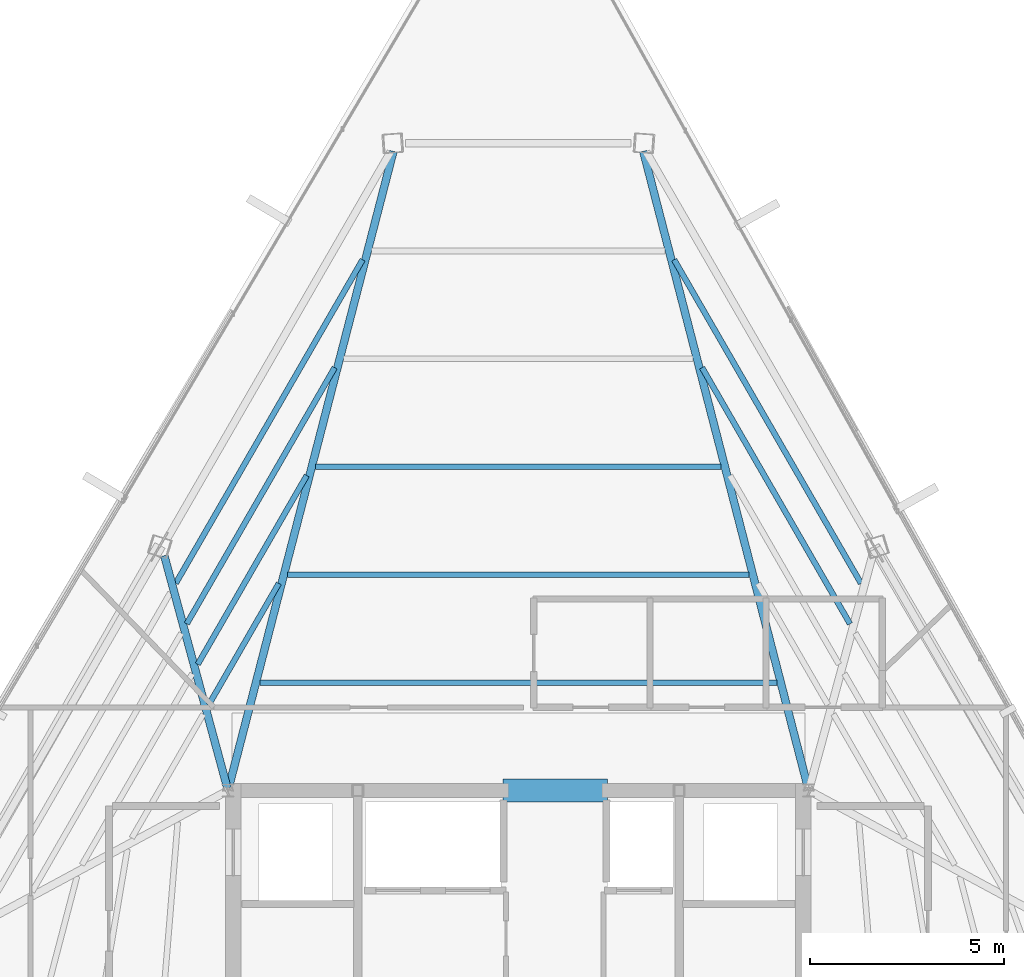
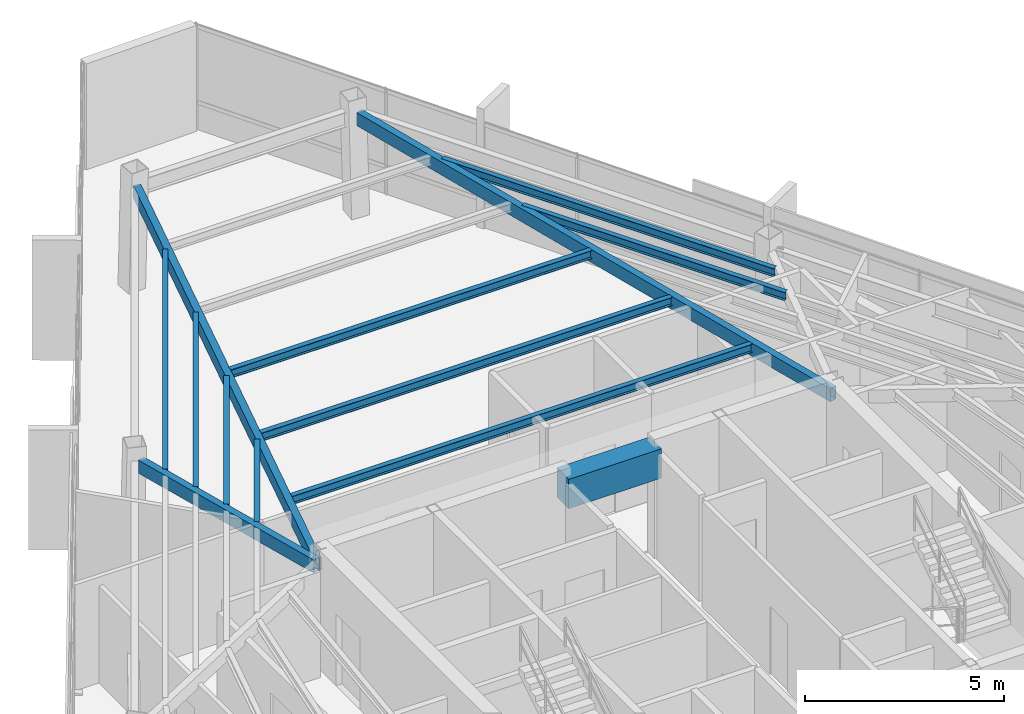
# One storey, part 20 of 44: 13 beams.
"""IFC4 building model written with IfcOpenShell, lengths in metres."""

from ifc_helpers import new_model, si_unit, direction, frame, origin, origin_2d, place, context, subcontext, project, spatial, rectangle, hollow_rectangle, i_section, extrude, source, transform, mapped, material, material_profile, profile_set, type_object, type_shapes, element, save


model = new_model("IFC4")

# Units and contexts
model_context = context("Model", 3, precision=1e-05, world=origin(), true_north=direction((0.0, 1.0)))
body_context = subcontext(model_context, "Body", "Model", "MODEL_VIEW")
ifc_project = project(units=[si_unit("LENGTHUNIT", "METRE"), si_unit("AREAUNIT", "SQUARE_METRE"), si_unit("VOLUMEUNIT", "CUBIC_METRE"), si_unit("PLANEANGLEUNIT", "RADIAN"), si_unit("MASSUNIT", "GRAM", prefix="KILO")], contexts=[model_context])

# Site, building, storey
site_placement = place(None, origin())
site = spatial("IfcSite", under=ifc_project, at=site_placement, CompositionType="ELEMENT")
building_placement = place(site_placement, origin())
building = spatial("IfcBuilding", under=site, at=building_placement, Name="Caelisora Broadcast Tower", CompositionType="ELEMENT")
storey_placement = place(building_placement, frame((0.0, 0.0, 280.949951171875)))
storey = spatial("IfcBuildingStorey", under=building, at=storey_placement, Name="L74", CompositionType="ELEMENT", Elevation=280.949951171875)

# Beams
ifc_material_1 = material(Name="Concrete 50 MPa (AS 3600 S50)", Category="concrete")
ifc_material_profile_1 = material_profile(ifc_material_1, rectangle(XDim=0.60009765625, YDim=0.89990234375, at=origin_2d()), Name="Concrete 50 MPa (AS 3600 S50)")
ifc_profile_set_1 = profile_set([ifc_material_profile_1], Name="Concrete 50 MPa (AS 3600 S50)")
beam_type_1 = type_object("IfcBeamType", Name="CB02", PredefinedType="LINTEL", material=ifc_profile_set_1)
shared_shape_1 = source(origin(), body_context, "Body", "SweptSolid", [
    extrude(rectangle(XDim=0.60009765625, YDim=0.89990234375, at=origin_2d()), origin(), (0.0, 0.0, 1.0), 2.699951171875),
])
type_shapes(beam_type_1, [shared_shape_1])
beam_1_placement = place(storey_placement, frame((37.60009765625, 30.0, 2.949951171875), z_axis=(1.0, 0.0, 0.0), x_axis=(0.0, 1.0, 0.0)))
element("IfcBeam", 1, at=beam_1_placement, inside=storey, type_object=beam_type_1, Name="L74 beam CB02", PredefinedType="LINTEL", context=body_context, shape_type="MappedRepresentation", body=[
    mapped(shared_shape_1, transform((0.0, 0.0, 0.0), scale=1.0)),
])
ifc_material_2 = material(Name="Steel Grade 350 (AS/NZS 1163 C350L0)", Category="steel")
ifc_material_profile_2 = material_profile(ifc_material_2, hollow_rectangle(XDim=0.199951171875, YDim=0.39990234375, WallThickness=0.012451171875, at=origin_2d()), Name="Steel Grade 350 (AS/NZS 1163 C350L0)")
ifc_profile_set_2 = profile_set([ifc_material_profile_2], Name="Steel Grade 350 (AS/NZS 1163 C350L0)")
beam_type_2 = type_object("IfcBeamType", Name="PG07", PredefinedType="BEAM", material=ifc_profile_set_2)
shared_shape_2 = source(origin(), body_context, "Body", "SweptSolid", [
    extrude(hollow_rectangle(XDim=0.199951171875, YDim=0.39990234375, WallThickness=0.012451171875, at=origin_2d()), origin(), (0.0, 0.0, 1.0), 16.9951171875),
])
for number, where, z_axis, x_axis, name in (
    (2, (45.485107421875, 30.05810546875, 3.050048828125), (-0.250517931791, 0.968111959358, 0.0), (-0.968111959358, -0.250517931791, 0.0), "L74 beam PG07"),
    (3, (30.514892578125, 30.05810546875, 3.050048828125), (0.250517931791, 0.968111959358, 0.0), (-0.968111959358, 0.250517931791, 0.0), "L74 beam PG07"),
):
    element("IfcBeam", number, at=place(storey_placement, frame(where, z_axis=z_axis, x_axis=x_axis)), inside=storey, type_object=beam_type_2, Name=name, PredefinedType="BEAM", context=body_context, shape_type="MappedRepresentation", body=[
        mapped(shared_shape_2, transform((0.0, 0.0, 0.0), scale=1.0)),
    ])
shared_shape_3 = source(origin(), body_context, "Body", "SweptSolid", [
    extrude(hollow_rectangle(XDim=0.199951171875, YDim=0.39990234375, WallThickness=0.012451171875, at=origin_2d()), origin(), (0.0, 0.0, 1.0), 6.22509765625),
])
type_shapes(beam_type_2, [shared_shape_2, shared_shape_3])
beam_2_placement = place(storey_placement, frame((30.484375, 30.057861328125, 3.050048828125), z_axis=(-0.261902623639, 0.965094304061, 0.0), x_axis=(-0.965094304061, -0.261902623639, 0.0)))
element("IfcBeam", 4, at=beam_2_placement, inside=storey, type_object=beam_type_2, Name="L74 beam PG07", PredefinedType="BEAM", context=body_context, shape_type="MappedRepresentation", body=[
    mapped(shared_shape_3, transform((0.0, 0.0, 0.0), scale=1.0)),
])
ifc_material_3 = material(Name="Steel Grade 350 (AS/NZS 3679.1)", Category="steel")
ifc_material_profile_3 = material_profile(ifc_material_3, i_section(OverallWidth=0.14599609375, OverallDepth=0.256103515625, WebThickness=0.00634765625, FlangeThickness=0.010986328125, at=origin_2d()), Name="Steel Grade 350 (AS/NZS 3679.1)")
ifc_profile_set_3 = profile_set([ifc_material_profile_3], Name="Steel Grade 350 (AS/NZS 3679.1)")
beam_type_3 = type_object("IfcBeamType", Name="SB04", PredefinedType="JOIST", material=ifc_profile_set_3)
shared_shape_4 = source(origin(), body_context, "Body", "SweptSolid", [
    extrude(i_section(OverallWidth=0.14599609375, OverallDepth=0.256103515625, WebThickness=0.00634765625, FlangeThickness=0.010986328125, at=origin_2d()), origin(), (0.0, 0.0, 1.0), 13.35693359375),
])
beam_3_placement = place(storey_placement, frame((44.678466796875, 32.787353515625, 3.1220703125), z_axis=(-1.0, 0.0, 0.0), x_axis=(0.0, -1.0, 0.0)))
element("IfcBeam", 5, at=beam_3_placement, inside=storey, type_object=beam_type_3, Name="L74 beam SB04", PredefinedType="JOIST", context=body_context, shape_type="MappedRepresentation", body=[
    mapped(shared_shape_4, transform((0.0, 0.0, 0.0), scale=1.0)),
])
shared_shape_5 = source(origin(), body_context, "Body", "SweptSolid", [
    extrude(i_section(OverallWidth=0.14599609375, OverallDepth=0.256103515625, WebThickness=0.00634765625, FlangeThickness=0.010986328125, at=origin_2d()), origin(), (0.0, 0.0, 1.0), 11.91455078125),
])
beam_4_placement = place(storey_placement, frame((43.957275390625, 35.57470703125, 3.1220703125), z_axis=(-1.0, 0.0, 0.0), x_axis=(0.0, -1.0, 0.0)))
element("IfcBeam", 6, at=beam_4_placement, inside=storey, type_object=beam_type_3, Name="L74 beam SB04", PredefinedType="JOIST", context=body_context, shape_type="MappedRepresentation", body=[
    mapped(shared_shape_5, transform((0.0, 0.0, 0.0), scale=1.0)),
])
shared_shape_6 = source(origin(), body_context, "Body", "SweptSolid", [
    extrude(i_section(OverallWidth=0.14599609375, OverallDepth=0.256103515625, WebThickness=0.00634765625, FlangeThickness=0.010986328125, at=origin_2d()), origin(), (0.0, 0.0, 1.0), 10.4716796875),
])
beam_5_placement = place(storey_placement, frame((43.23583984375, 38.362060546875, 3.1220703125), z_axis=(-1.0, 0.0, 0.0), x_axis=(0.0, -1.0, 0.0)))
element("IfcBeam", 7, at=beam_5_placement, inside=storey, type_object=beam_type_3, Name="L74 beam SB04", PredefinedType="JOIST", context=body_context, shape_type="MappedRepresentation", body=[
    mapped(shared_shape_6, transform((0.0, 0.0, 0.0), scale=1.0)),
])
shared_shape_7 = source(origin(), body_context, "Body", "SweptSolid", [
    extrude(i_section(OverallWidth=0.14599609375, OverallDepth=0.256103515625, WebThickness=0.00634765625, FlangeThickness=0.010986328125, at=origin_2d()), origin(), (0.0, 0.0, 1.0), 3.62255859375),
])
beam_6_placement = place(storey_placement, frame((31.8125, 35.349365234375, 3.1220703125), z_axis=(-0.500002478827, -0.866023972628, 0.0), x_axis=(0.866023972628, -0.500002478827, 0.0)))
element("IfcBeam", 8, at=beam_6_placement, inside=storey, type_object=beam_type_3, Name="L74 beam SB04", PredefinedType="JOIST", context=body_context, shape_type="MappedRepresentation", body=[
    mapped(shared_shape_7, transform((0.0, 0.0, 0.0), scale=1.0)),
])
shared_shape_8 = source(origin(), body_context, "Body", "SweptSolid", [
    extrude(i_section(OverallWidth=0.14599609375, OverallDepth=0.256103515625, WebThickness=0.00634765625, FlangeThickness=0.010986328125, at=origin_2d()), origin(), (0.0, 0.0, 1.0), 5.6328125),
])
beam_7_placement = place(storey_placement, frame((32.53369140625, 38.13671875, 3.1220703125), z_axis=(-0.499998838572, -0.866026074334, 0.0), x_axis=(0.866026074334, -0.499998838572, 0.0)))
element("IfcBeam", 9, at=beam_7_placement, inside=storey, type_object=beam_type_3, Name="L74 beam SB04", PredefinedType="JOIST", context=body_context, shape_type="MappedRepresentation", body=[
    mapped(shared_shape_8, transform((0.0, 0.0, 0.0), scale=1.0)),
])
shared_shape_9 = source(origin(), body_context, "Body", "SweptSolid", [
    extrude(i_section(OverallWidth=0.14599609375, OverallDepth=0.256103515625, WebThickness=0.00634765625, FlangeThickness=0.010986328125, at=origin_2d()), origin(), (0.0, 0.0, 1.0), 7.6435546875),
])
for number, where, z_axis, x_axis, name in (
    (10, (33.2548828125, 40.92431640625, 3.1220703125), (-0.49996945153, -0.866043040234, 0.0), (0.866043040234, -0.49996945153, 0.0), "L74 beam SB04"),
    (11, (46.566650390625, 34.3046875, 3.1220703125), (-0.49996945153, 0.866043040234, 0.0), (-0.866043040234, -0.49996945153, 0.0), "L74 beam SB04"),
):
    element("IfcBeam", number, at=place(storey_placement, frame(where, z_axis=z_axis, x_axis=x_axis)), inside=storey, type_object=beam_type_3, Name=name, PredefinedType="JOIST", context=body_context, shape_type="MappedRepresentation", body=[
        mapped(shared_shape_9, transform((0.0, 0.0, 0.0), scale=1.0)),
    ])
shared_shape_10 = source(origin(), body_context, "Body", "SweptSolid", [
    extrude(i_section(OverallWidth=0.14599609375, OverallDepth=0.256103515625, WebThickness=0.00634765625, FlangeThickness=0.010986328125, at=origin_2d()), origin(), (0.0, 0.0, 1.0), 9.654052734375),
])
type_shapes(beam_type_3, [shared_shape_4, shared_shape_5, shared_shape_6, shared_shape_7, shared_shape_8, shared_shape_9, shared_shape_10])
for number, where, z_axis, x_axis, name in (
    (12, (33.976318359375, 43.711669921875, 3.1220703125), (-0.499993172494, -0.866029345611, 0.0), (0.866029345611, -0.499993172494, 0.0), "L74 beam SB04"),
    (13, (46.8505859375, 35.35107421875, 3.1220703125), (-0.499993172494, 0.866029345611, 0.0), (-0.866029345611, -0.499993172494, 0.0), "L74 beam SB04"),
):
    element("IfcBeam", number, at=place(storey_placement, frame(where, z_axis=z_axis, x_axis=x_axis)), inside=storey, type_object=beam_type_3, Name=name, PredefinedType="JOIST", context=body_context, shape_type="MappedRepresentation", body=[
        mapped(shared_shape_10, transform((0.0, 0.0, 0.0), scale=1.0)),
    ])

save(model, "model.ifc")
